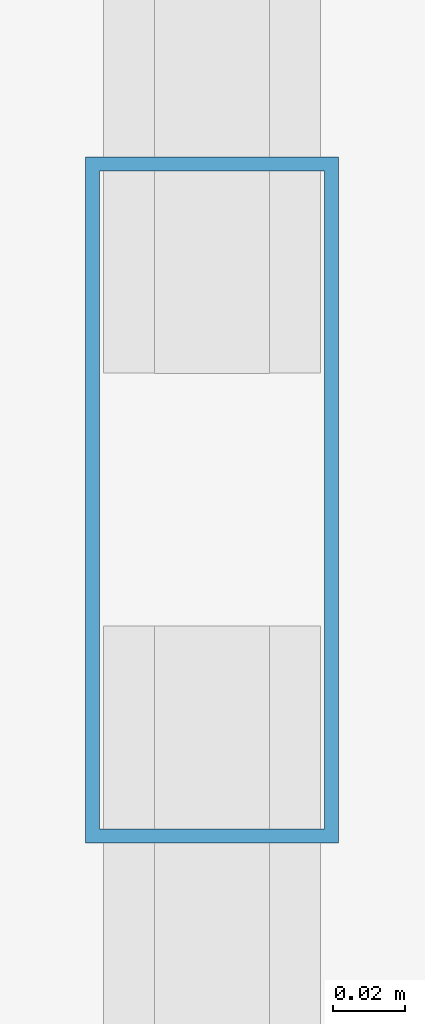
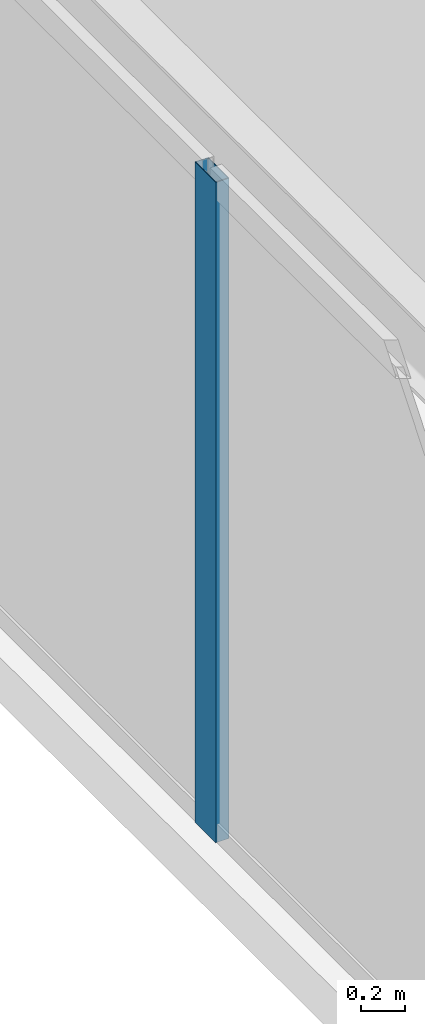
# One storey, part 11 of 35: 1 member, 1 element without a shape of its own.
"""IFC4 building model written with IfcOpenShell, lengths in metres."""

from ifc_helpers import new_model, si_unit, direction, frame, origin, origin_2d, place, context, subcontext, project, spatial, hollow_rectangle, extrude, source, transform, mapped, material, layer, layer_set, material_profile, profile_set, type_object, type_shapes, element, aggregate, save


model = new_model("IFC4")

# Units and contexts
model_context = context("Model", 3, precision=1e-05, world=origin(), true_north=direction((0.0, 1.0)))
body_context = subcontext(model_context, "Body", "Model", "MODEL_VIEW")
ifc_project = project(units=[si_unit("LENGTHUNIT", "METRE"), si_unit("AREAUNIT", "SQUARE_METRE"), si_unit("VOLUMEUNIT", "CUBIC_METRE"), si_unit("PLANEANGLEUNIT", "RADIAN"), si_unit("MASSUNIT", "GRAM", prefix="KILO")], contexts=[model_context])

# Site, building, storey
site_placement = place(None, origin())
site = spatial("IfcSite", under=ifc_project, at=site_placement, CompositionType="ELEMENT")
building_placement = place(site_placement, origin())
building = spatial("IfcBuilding", under=site, at=building_placement, Name="Varnel Quay Broadcast Tower", CompositionType="ELEMENT")
storey_placement = place(building_placement, frame((0.0, 0.0, 66.60009765625)))
storey = spatial("IfcBuildingStorey", under=building, at=storey_placement, Name="L15", CompositionType="ELEMENT", Elevation=66.60009765625)

# Curtain wall, member
ifc_material = material(Name="Anodised Bronze Aluminium 6063-T6", Category="aluminium")
ifc_layer = layer(ifc_material, 0.18994140625, Name="Anodised Bronze Aluminium 6063-T6")
ifc_layer_set = layer_set([ifc_layer], Name="Anodised Bronze Aluminium 6063-T6")
curtain_wall_type = type_object("IfcCurtainWallType", Name="CW_LowerTower", PredefinedType="NOTDEFINED", material=ifc_layer_set)
curtain_wall_placement = place(storey_placement, origin())
curtain_wall = element("IfcCurtainWall", 1, at=curtain_wall_placement, inside=storey, type_object=curtain_wall_type, Name="L15 West Unitised Curtain Wall", PredefinedType="NOTDEFINED")
ifc_material_profile = material_profile(ifc_material, hollow_rectangle(XDim=0.070068359375, YDim=0.18994140625, WallThickness=0.00390625, at=origin_2d()), Name="ALU70X190X4")
ifc_profile_set = profile_set([ifc_material_profile], Name="Anodised Bronze Aluminium 6063-T6")
member_type = type_object("IfcMemberType", Name="Mull_CWS-02", PredefinedType="MULLION", material=ifc_profile_set)
shared_shape = source(origin(), body_context, "Body", "SweptSolid", [
    extrude(hollow_rectangle(XDim=0.070068359375, YDim=0.18994140625, WallThickness=0.00390625, at=origin_2d()), origin(), (0.0, 0.0, 1.0), 3.64990234375),
])
type_shapes(member_type, [shared_shape])
member_placement = place(storey_placement, frame((2.14990234375, 30.39990234375, 0.0), z_axis=(0.0, 0.0, 1.0), x_axis=(-1.0, 0.0, 0.0)))
member = element("IfcMember", 2, at=member_placement, type_object=member_type, Name="CWS-02 mullion 3", PredefinedType="MULLION", context=body_context, shape_type="MappedRepresentation", body=[
    mapped(shared_shape, transform((0.0, 0.0, 0.0), x_axis=(1.0, 0.0, 0.0), y_axis=(0.0, 1.0, 0.0), z_axis=(0.0, 0.0, 1.0), scale=1.0)),
])
aggregate(curtain_wall, [member])

save(model, "model.ifc")
